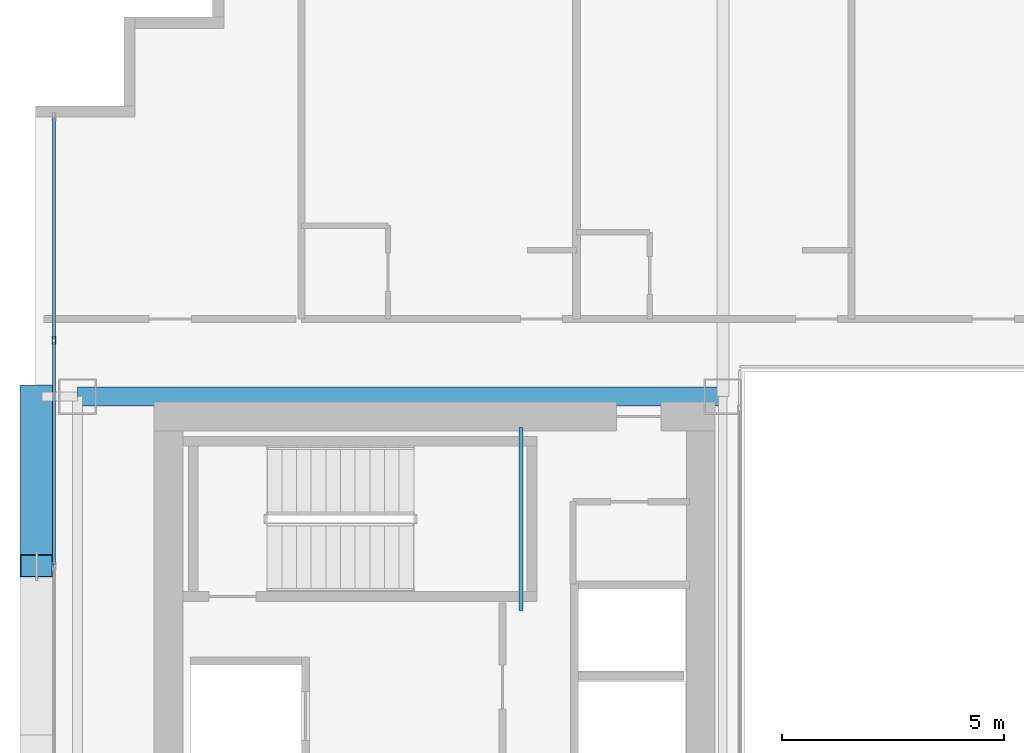
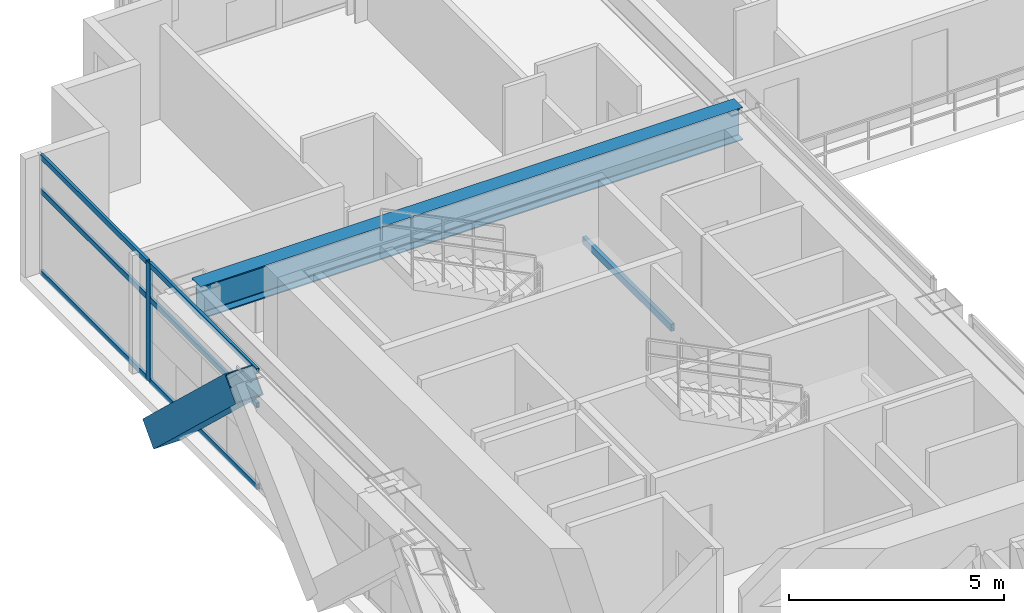
# One storey, part 19 of 39: 8 members, 2 beams, 1 element without a shape of its own.
"""IFC4 building model written with IfcOpenShell, lengths in metres."""

from ifc_helpers import new_model, si_unit, direction, frame, origin, origin_2d, place, context, subcontext, project, spatial, hollow_rectangle, i_section, extrude, source, transform, mapped, material, layer, layer_set, material_profile, profile_set, type_object, element, aggregate, save


model = new_model("IFC4")

# Units and contexts
model_context = context("Model", 3, precision=1e-05, world=origin(), true_north=direction((0.0, 1.0)))
body_context = subcontext(model_context, "Body", "Model", "MODEL_VIEW")
ifc_project = project(units=[si_unit("LENGTHUNIT", "METRE"), si_unit("AREAUNIT", "SQUARE_METRE"), si_unit("VOLUMEUNIT", "CUBIC_METRE"), si_unit("PLANEANGLEUNIT", "RADIAN"), si_unit("MASSUNIT", "GRAM", prefix="KILO")], contexts=[model_context])

# Site, building, storey
site_placement = place(None, origin())
site = spatial("IfcSite", under=ifc_project, at=site_placement, CompositionType="ELEMENT")
building_placement = place(site_placement, origin())
building = spatial("IfcBuilding", under=site, at=building_placement, Name="Ocotamira Hotel", CompositionType="ELEMENT")
storey_placement = place(building_placement, frame((0.0, 0.0, 126.0)))
storey = spatial("IfcBuildingStorey", under=building, at=storey_placement, Name="L31", CompositionType="ELEMENT", Elevation=126.0)

# Beams
ifc_material_1 = material(Name="Steel ASTM A500 Grade C", Category="steel")
ifc_material_profile_1 = material_profile(ifc_material_1, hollow_rectangle(XDim=0.10009765625, YDim=0.199951171875, WallThickness=0.008056640625, at=origin_2d()), Name="HSS200X100X8")
ifc_profile_set_1 = profile_set([ifc_material_profile_1], Name="Steel ASTM A500 Grade C")
beam_type_1 = type_object("IfcBeamType", Name="BM-STLDG-HSS200", PredefinedType="BEAM", material=ifc_profile_set_1)
shared_shape_1 = source(origin(), body_context, "Body", "SweptSolid", [
    extrude(hollow_rectangle(XDim=0.10009765625, YDim=0.199951171875, WallThickness=0.008056640625, at=origin_2d()), origin(), (0.0, 0.0, 1.0), 4.1201171875),
])
beam_1_placement = place(storey_placement, frame((18.949951171875, 32.6298828125, 1.5), z_axis=(0.0, 1.0, 0.0), x_axis=(-1.0, 0.0, 0.0)))
element("IfcBeam", 1, at=beam_1_placement, inside=storey, type_object=beam_type_1, Name="L31 Stair ST-2 Landing Bearer 1", PredefinedType="BEAM", context=body_context, shape_type="MappedRepresentation", body=[
    mapped(shared_shape_1, transform((0.0, 0.0, 0.0), scale=1.0)),
])
ifc_material_2 = material(Name="Steel ASTM A992 Grade 50", Category="steel")
ifc_material_profile_2 = material_profile(ifc_material_2, i_section(OverallWidth=0.41796875, OverallDepth=0.927001953125, WebThickness=0.019287109375, FlangeThickness=0.031982421875, FilletRadius=0.02392578125, at=origin_2d()), Name="W36X231")
ifc_profile_set_2 = profile_set([ifc_material_profile_2], Name="Steel ASTM A992 Grade 50")
beam_type_2 = type_object("IfcBeamType", Name="BM-GIRD-W36X231", PredefinedType="BEAM", material=ifc_profile_set_2)
shared_shape_2 = source(origin(), body_context, "Body", "SweptSolid", [
    extrude(i_section(OverallWidth=0.41796875, OverallDepth=0.927001953125, WebThickness=0.019287109375, FlangeThickness=0.031982421875, FilletRadius=0.02392578125, at=origin_2d()), origin(), (0.0, 0.0, 1.0), 14.550048828125),
])
beam_2_placement = place(storey_placement, frame((8.949951171875, 37.449951171875, 2.896484375), z_axis=(1.0, 0.0, 0.0), x_axis=(0.0, 1.0, 0.0)))
element("IfcBeam", 2, at=beam_2_placement, inside=storey, type_object=beam_type_2, Name="L31 Girder Y37.45 X8.95-23.5", PredefinedType="BEAM", context=body_context, shape_type="MappedRepresentation", body=[
    mapped(shared_shape_2, transform((0.0, 0.0, 0.0), scale=1.0)),
])

# Member
ifc_material_3 = material(Name="Pale-metal coated steel ASTM A913 Grade 65", Category="steel")
ifc_material_profile_3 = material_profile(ifc_material_3, hollow_rectangle(XDim=0.75, YDim=0.75, WallThickness=0.028076171875, at=origin_2d()), Name="BOX750X750X28")
ifc_profile_set_3 = profile_set([ifc_material_profile_3], Name="Pale-metal coated steel ASTM A913 Grade 65")
member_type_1 = type_object("IfcMemberType", Name="MEM-EXO-BOX750", PredefinedType="BRACE", material=ifc_profile_set_3)
shared_shape_3 = source(origin(), body_context, "Body", "SweptSolid", [
    extrude(hollow_rectangle(XDim=0.75, YDim=0.75, WallThickness=0.028076171875, at=origin_2d()), origin(), (0.0, 0.0, 1.0), 5.24658203125),
])
member_1_placement = place(storey_placement, frame((8.030029296875, 37.449951171875, -0.489990234375), z_axis=(0.0, -0.727442733726, 0.686168397078), x_axis=(1.0, 0.0, 0.0)))
element("IfcMember", 3, at=member_1_placement, inside=storey, type_object=member_type_1, Name="L31 Exoskeleton Diagrid W2.2", PredefinedType="BRACE", context=body_context, shape_type="MappedRepresentation", body=[
    mapped(shared_shape_3, transform((0.0, 0.0, 0.0), scale=1.0)),
])

# Curtain wall, members
ifc_material_4 = material(Name="Anodised pale-metal aluminium and solar glass", Category="aluminium")
ifc_layer = layer(ifc_material_4, 0.179931640625)
ifc_layer_set = layer_set([ifc_layer], Name="Anodised pale-metal aluminium and solar glass")
curtain_wall_type = type_object("IfcCurtainWallType", Name="CW-SYS3-Z2", PredefinedType="NOTDEFINED", material=ifc_layer_set)
curtain_wall_placement = place(storey_placement, origin())
curtain_wall = element("IfcCurtainWall", 4, at=curtain_wall_placement, inside=storey, type_object=curtain_wall_type, Name="L31 Curtain Wall CW-3 CW-L31-W", PredefinedType="NOTDEFINED")
ifc_material_5 = material(Name="Anodised pale-metal aluminium 6063-T6", Category="aluminium")
ifc_material_profile_4 = material_profile(ifc_material_5, hollow_rectangle(XDim=0.074951171875, YDim=0.14990234375, WallThickness=0.006103515625, at=origin_2d()), Name="HSS150X75X6")
ifc_profile_set_4 = profile_set([ifc_material_profile_4], Name="Anodised pale-metal aluminium 6063-T6")
member_type_2 = type_object("IfcMemberType", Name="CWT-150X75", PredefinedType="USERDEFINED", material=ifc_profile_set_4)
shared_shape_4 = source(origin(), body_context, "Body", "SweptSolid", [
    extrude(hollow_rectangle(XDim=0.074951171875, YDim=0.14990234375, WallThickness=0.006103515625, at=origin_2d()), origin(), (0.0, 0.0, 1.0), 4.965576171875),
])
member_2_placement = place(storey_placement, frame((8.419921875, 38.75439453125, 0.03759765625), z_axis=(0.0, 1.0, 0.0), x_axis=(-1.0, 0.0, 0.0)))
member_2 = element("IfcMember", 5, at=member_2_placement, type_object=member_type_2, Name="CW-3 transom 7.1", ObjectType="TRANSOM", PredefinedType="USERDEFINED", context=body_context, shape_type="MappedRepresentation", body=[
    mapped(shared_shape_4, transform((0.0, 0.0, 0.0), scale=1.0)),
])
member_3_placement = place(storey_placement, frame((8.419921875, 38.75439453125, 2.35009765625), z_axis=(0.0, 1.0, 0.0), x_axis=(-1.0, 0.0, 0.0)))
member_3 = element("IfcMember", 6, at=member_3_placement, type_object=member_type_2, Name="CW-3 transom 7.2", ObjectType="TRANSOM", PredefinedType="USERDEFINED", context=body_context, shape_type="MappedRepresentation", body=[
    mapped(shared_shape_4, transform((0.0, 0.0, 0.0), scale=1.0)),
])
member_4_placement = place(storey_placement, frame((8.419921875, 38.75439453125, 3.322509765625), z_axis=(0.0, 1.0, 0.0), x_axis=(-1.0, 0.0, 0.0)))
member_4 = element("IfcMember", 7, at=member_4_placement, type_object=member_type_2, Name="CW-3 transom 7.3", ObjectType="TRANSOM", PredefinedType="USERDEFINED", context=body_context, shape_type="MappedRepresentation", body=[
    mapped(shared_shape_4, transform((0.0, 0.0, 0.0), scale=1.0)),
])
shared_shape_5 = source(origin(), body_context, "Body", "SweptSolid", [
    extrude(hollow_rectangle(XDim=0.074951171875, YDim=0.14990234375, WallThickness=0.006103515625, at=origin_2d()), origin(), (0.0, 0.0, 1.0), 5.005859375),
])
member_5_placement = place(storey_placement, frame((8.419921875, 33.66845703125, 0.03759765625), z_axis=(0.0, 1.0, 0.0), x_axis=(-1.0, 0.0, 0.0)))
member_5 = element("IfcMember", 8, at=member_5_placement, type_object=member_type_2, Name="CW-3 transom 6.1", ObjectType="TRANSOM", PredefinedType="USERDEFINED", context=body_context, shape_type="MappedRepresentation", body=[
    mapped(shared_shape_5, transform((0.0, 0.0, 0.0), scale=1.0)),
])
member_6_placement = place(storey_placement, frame((8.419921875, 33.66845703125, 2.35009765625), z_axis=(0.0, 1.0, 0.0), x_axis=(-1.0, 0.0, 0.0)))
member_6 = element("IfcMember", 9, at=member_6_placement, type_object=member_type_2, Name="CW-3 transom 6.2", ObjectType="TRANSOM", PredefinedType="USERDEFINED", context=body_context, shape_type="MappedRepresentation", body=[
    mapped(shared_shape_5, transform((0.0, 0.0, 0.0), scale=1.0)),
])
member_7_placement = place(storey_placement, frame((8.419921875, 33.66845703125, 3.322509765625), z_axis=(0.0, 1.0, 0.0), x_axis=(-1.0, 0.0, 0.0)))
member_7 = element("IfcMember", 10, at=member_7_placement, type_object=member_type_2, Name="CW-3 transom 6.3", ObjectType="TRANSOM", PredefinedType="USERDEFINED", context=body_context, shape_type="MappedRepresentation", body=[
    mapped(shared_shape_5, transform((0.0, 0.0, 0.0), scale=1.0)),
])
ifc_material_profile_5 = material_profile(ifc_material_5, hollow_rectangle(XDim=0.080078125, YDim=0.179931640625, WallThickness=0.006103515625, at=origin_2d()), Name="HSS180X80X6")
ifc_profile_set_5 = profile_set([ifc_material_profile_5], Name="Anodised pale-metal aluminium 6063-T6")
member_type_3 = type_object("IfcMemberType", Name="CWM-180X75", PredefinedType="MULLION", material=ifc_profile_set_5)
shared_shape_6 = source(origin(), body_context, "Body", "SweptSolid", [
    extrude(hollow_rectangle(XDim=0.080078125, YDim=0.179931640625, WallThickness=0.006103515625, at=origin_2d()), origin(), (0.0, 0.0, 1.0), 3.360107421875),
])
member_8_placement = place(storey_placement, frame((8.419921875, 38.71435546875, 0.0), z_axis=(0.0, 0.0, 1.0), x_axis=(-1.0, 0.0, 0.0)))
member_8 = element("IfcMember", 11, at=member_8_placement, type_object=member_type_3, Name="CW-3 mullion 7", PredefinedType="MULLION", context=body_context, shape_type="MappedRepresentation", body=[
    mapped(shared_shape_6, transform((0.0, 0.0, 0.0), scale=1.0)),
])
aggregate(curtain_wall, [member_8, member_5, member_6, member_7, member_2, member_3, member_4])

save(model, "model.ifc")
